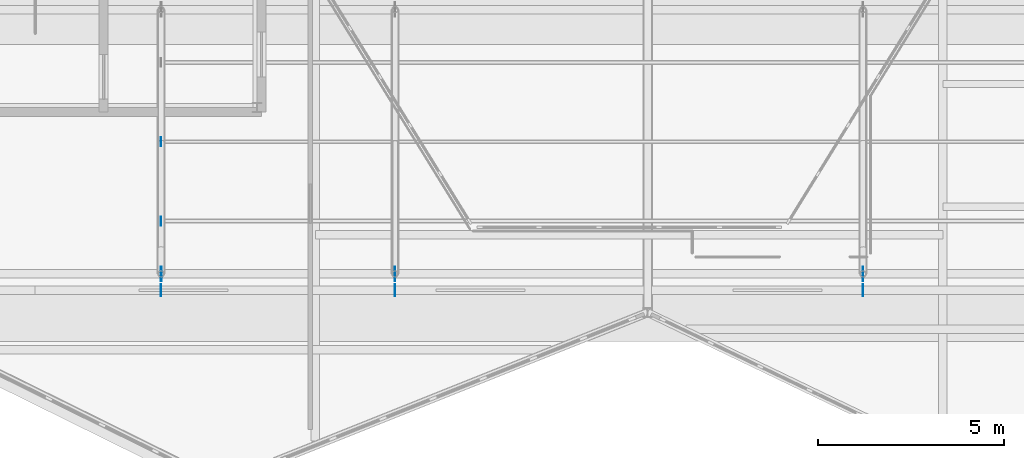
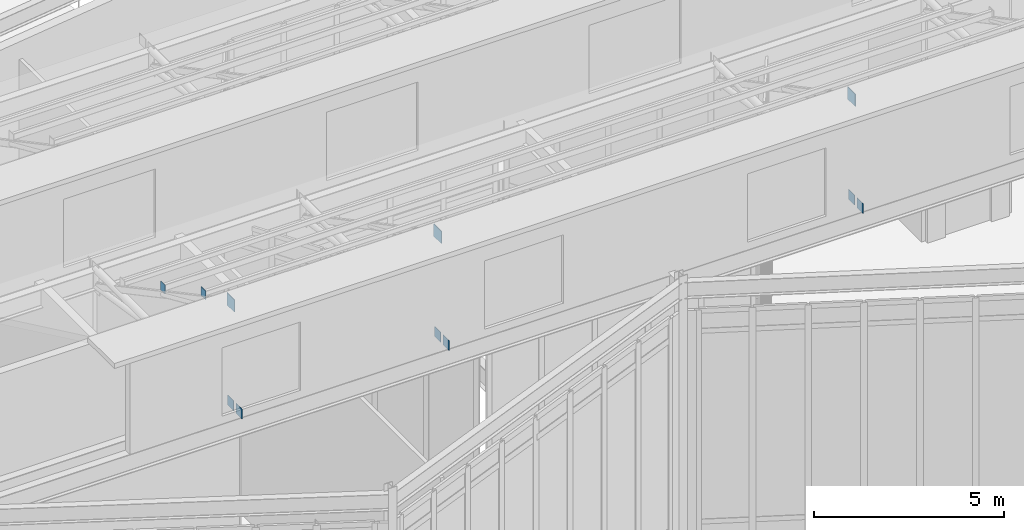
# One storey, part 50 of 66: 11 plates.
"""IFC4 building model written with IfcOpenShell, lengths in metres."""

from ifc_helpers import new_model, si_unit, direction, frame, origin, origin_2d, place, context, subcontext, project, spatial, rectangle, extrude, material, layer, layer_set, type_object, element, save


model = new_model("IFC4")

# Units and contexts
model_context = context("Model", 3, precision=1e-05, world=origin(), true_north=direction((0.0, 1.0)))
body_context = subcontext(model_context, "Body", "Model", "MODEL_VIEW")
ifc_project = project(units=[si_unit("LENGTHUNIT", "METRE"), si_unit("AREAUNIT", "SQUARE_METRE"), si_unit("VOLUMEUNIT", "CUBIC_METRE"), si_unit("PLANEANGLEUNIT", "RADIAN"), si_unit("MASSUNIT", "GRAM", prefix="KILO")], contexts=[model_context])

# Site, building, storey
site_placement = place(None, origin())
site = spatial("IfcSite", under=ifc_project, at=site_placement, CompositionType="ELEMENT")
building_placement = place(site_placement, origin())
building = spatial("IfcBuilding", under=site, at=building_placement, Name="Tameran Prism Museum", CompositionType="ELEMENT")
storey_placement = place(building_placement, frame((0.0, 0.0, 19.800048828125)))
storey = spatial("IfcBuildingStorey", under=building, at=storey_placement, Name="L04", CompositionType="ELEMENT", Elevation=19.800048828125)

# Plates
ifc_material_1 = material(Name="Steel Grade 350 (350 MPa)", Category="steel")
ifc_layer_1 = layer(ifc_material_1, 0.01611328125)
ifc_layer_set_1 = layer_set([ifc_layer_1])
plate_type_1 = type_object("IfcPlateType", Name="PL-CAP-16", PredefinedType="USERDEFINED", material=ifc_layer_set_1)
for number, where, z_axis, x_axis, name in (
    (1, (64.39208984375, 29.864013671875, 11.31591796875), (0.0, 0.0, 1.0), (1.0, 0.0, 0.0), "Purlin End Cap Plate PR-031 W"),
    (2, (64.39208984375, 32.0, 10.2041015625), (0.0, 0.0, 1.0), (1.0, 0.0, 0.0), "Purlin End Cap Plate PR-032 W"),
):
    element("IfcPlate", number, at=place(storey_placement, frame(where, z_axis=z_axis, x_axis=x_axis)), inside=storey, type_object=plate_type_1, Name=name, ObjectType="GUSSET PLATE", PredefinedType="USERDEFINED", context=body_context, shape_type="SweptSolid", body=[
        extrude(rectangle(XDim=0.01611328125, YDim=0.239990234375, at=origin_2d()), origin(), (0.0, 0.0, 1.0), 0.280029296875),
    ])
for number, where, z_axis, x_axis, name in (
    (3, (64.39990234375, 28.43994140625, 8.6259765625), (0.0, 0.0, 1.0), (1.0, 0.0, 0.0), "Truss Node Gusset Plate GP-0127"),
    (4, (64.39990234375, 28.0, 8.6259765625), (0.0, 0.0, 1.0), (1.0, 0.0, 0.0), "Truss Node Gusset Plate GP-0129"),
    (5, (70.699951171875, 28.43994140625, 8.6259765625), (0.0, 0.0, 1.0), (1.0, 0.0, 0.0), "Truss Node Gusset Plate GP-0133"),
    (6, (70.699951171875, 28.0, 8.6259765625), (0.0, 0.0, 1.0), (1.0, 0.0, 0.0), "Truss Node Gusset Plate GP-0135"),
    (7, (83.300048828125, 28.43994140625, 8.6259765625), (0.0, 0.0, 1.0), (1.0, 0.0, 0.0), "Truss Node Gusset Plate GP-0139"),
    (8, (83.300048828125, 28.0, 8.6259765625), (0.0, 0.0, 1.0), (1.0, 0.0, 0.0), "Truss Node Gusset Plate GP-0141"),
):
    element("IfcPlate", number, at=place(storey_placement, frame(where, z_axis=z_axis, x_axis=x_axis)), inside=storey, type_object=plate_type_1, Name=name, ObjectType="GUSSET PLATE", PredefinedType="USERDEFINED", context=body_context, shape_type="SweptSolid", body=[
        extrude(rectangle(XDim=0.01611328125, YDim=0.320068359375, at=origin_2d()), origin(), (0.0, 0.0, 1.0), 0.320068359375),
    ])
ifc_material_2 = material(Name="Steel Grade 350 (350 MPa)", Category="steel")
ifc_layer_2 = layer(ifc_material_2, 0.02001953125)
ifc_layer_set_2 = layer_set([ifc_layer_2])
plate_type_2 = type_object("IfcPlateType", Name="PL-GUS-20", PredefinedType="USERDEFINED", material=ifc_layer_set_2)
for number, where, z_axis, x_axis, name in (
    (9, (64.39990234375, 28.43994140625, 11.823974609375), (0.0, 0.0, 1.0), (1.0, 0.0, 0.0), "Truss Node Gusset Plate GP-0125"),
    (10, (70.699951171875, 28.43994140625, 11.823974609375), (0.0, 0.0, 1.0), (1.0, 0.0, 0.0), "Truss Node Gusset Plate GP-0131"),
    (11, (83.300048828125, 28.43994140625, 11.823974609375), (0.0, 0.0, 1.0), (1.0, 0.0, 0.0), "Truss Node Gusset Plate GP-0137"),
):
    element("IfcPlate", number, at=place(storey_placement, frame(where, z_axis=z_axis, x_axis=x_axis)), inside=storey, type_object=plate_type_2, Name=name, ObjectType="GUSSET PLATE", PredefinedType="USERDEFINED", context=body_context, shape_type="SweptSolid", body=[
        extrude(rectangle(XDim=0.02001953125, YDim=0.39990234375, at=origin_2d()), origin(), (0.0, 0.0, 1.0), 0.39990234375),
    ])

save(model, "model.ifc")
